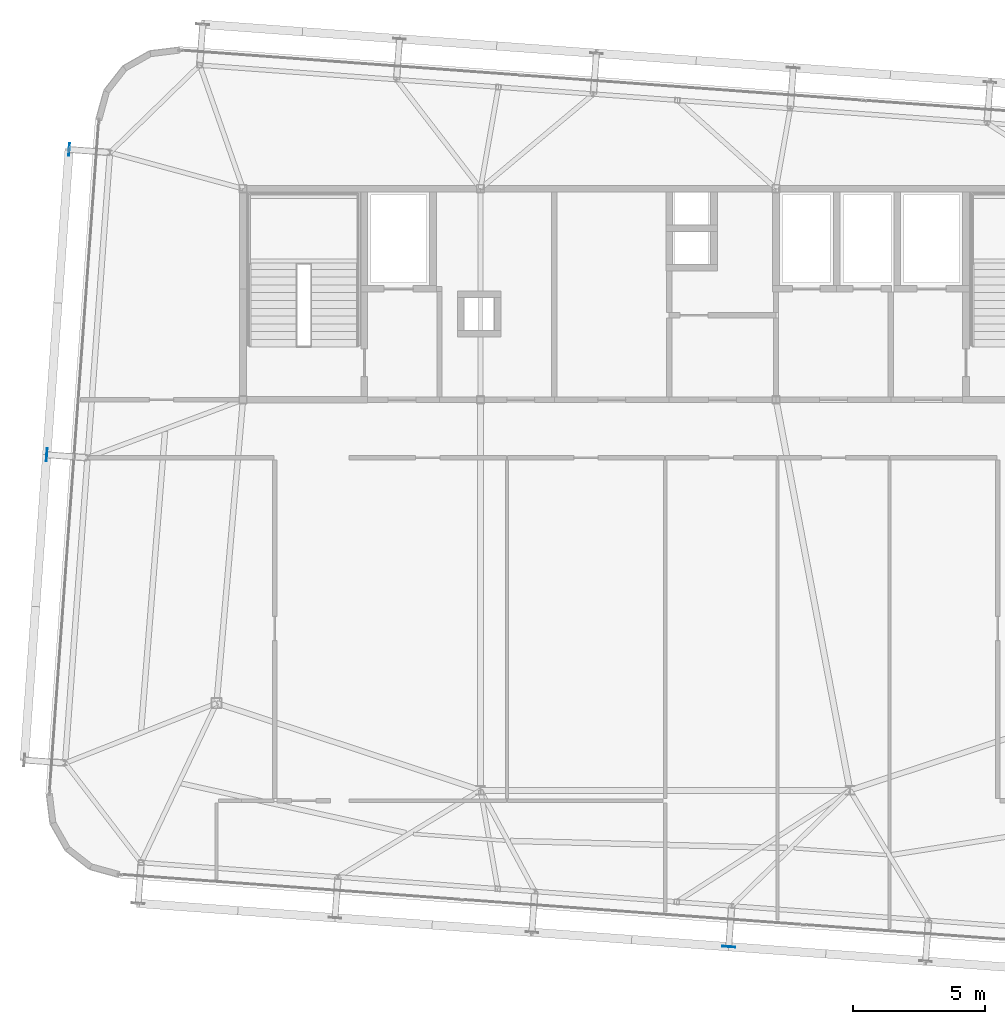
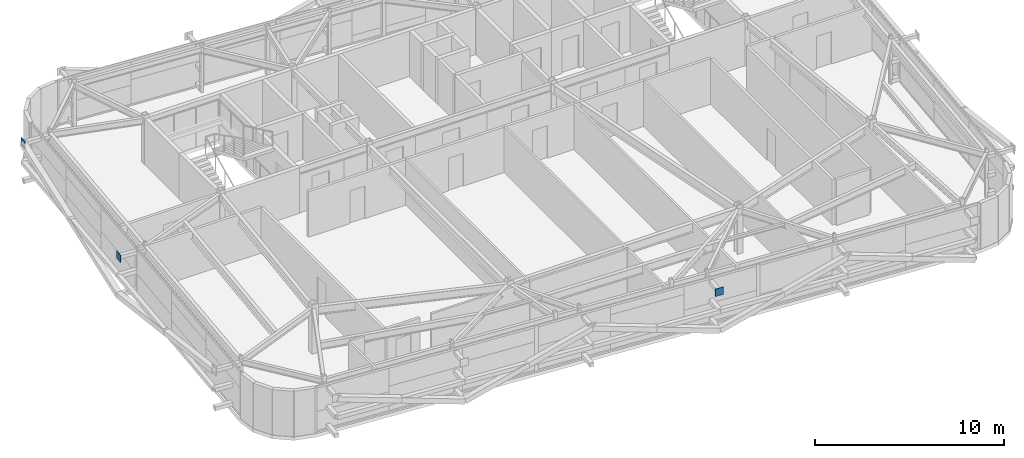
# One storey, part 25 of 34: 3 plates.
"""IFC4 building model written with IfcOpenShell, lengths in metres."""

from ifc_helpers import new_model, si_unit, direction, frame, origin, origin_2d, place, context, subcontext, project, spatial, rectangle, extrude, source, transform, mapped, material, layer, layer_set, type_object, element, save


model = new_model("IFC4")

# Units and contexts
model_context = context("Model", 3, precision=1e-05, world=origin(), true_north=direction((0.0, 1.0)))
body_context = subcontext(model_context, "Body", "Model", "MODEL_VIEW")
ifc_project = project(units=[si_unit("LENGTHUNIT", "METRE"), si_unit("AREAUNIT", "SQUARE_METRE"), si_unit("VOLUMEUNIT", "CUBIC_METRE"), si_unit("PLANEANGLEUNIT", "RADIAN"), si_unit("MASSUNIT", "GRAM", prefix="KILO")], contexts=[model_context])

# Site, building, storey
site_placement = place(None, origin())
site = spatial("IfcSite", under=ifc_project, at=site_placement, CompositionType="ELEMENT")
building_placement = place(site_placement, origin())
building = spatial("IfcBuilding", under=site, at=building_placement, Name="Taldren Reach Tower", CompositionType="ELEMENT")
storey_placement = place(building_placement, frame((0.0, 0.0, 239.75)))
storey = spatial("IfcBuildingStorey", under=building, at=storey_placement, Name="L73", CompositionType="ELEMENT", Elevation=239.75)

# Plates
ifc_material = material(Name="Steel Gr 450 (C450L0)", Category="steel")
ifc_layer = layer(ifc_material, 0.031982421875)
ifc_layer_set = layer_set([ifc_layer], Name="Steel Gr 450 (C450L0)")
plate_type = type_object("IfcPlateType", Name="PL-GUSSET-32", PredefinedType="SHEET", material=ifc_layer_set)
shared_shape = source(origin(), body_context, "Body", "SweptSolid", [
    extrude(rectangle(XDim=0.47998046875, YDim=0.031982421875, at=origin_2d()), origin(), (0.0, 0.0, 1.0), 0.47998046875),
])
for number, where, z_axis, x_axis, name in (
    (1, (37.406982421875, 3.27099609375, 2.409912109375), (0.0, 0.0, 1.0), (0.997314477224, -0.073238197128, 0.0), "Exoskeleton star-node gusset plate B5-S4 L73"),
    (2, (11.562744140625, 21.913818359375, 2.409912109375), (0.0, 0.0, 1.0), (0.073238197128, 0.997314477224, 0.0), "Exoskeleton star-node gusset plate B5-W2 L73"),
    (3, (12.412353515625, 33.482666015625, 2.409912109375), (0.0, 0.0, 1.0), (0.073238197128, 0.997314477224, 0.0), "Exoskeleton star-node gusset plate B5-W3 L73"),
):
    element("IfcPlate", number, at=place(storey_placement, frame(where, z_axis=z_axis, x_axis=x_axis)), inside=storey, type_object=plate_type, Name=name, PredefinedType="SHEET", context=body_context, shape_type="MappedRepresentation", body=[
        mapped(shared_shape, transform((0.0, 0.0, 0.0), scale=1.0)),
    ])

save(model, "model.ifc")
